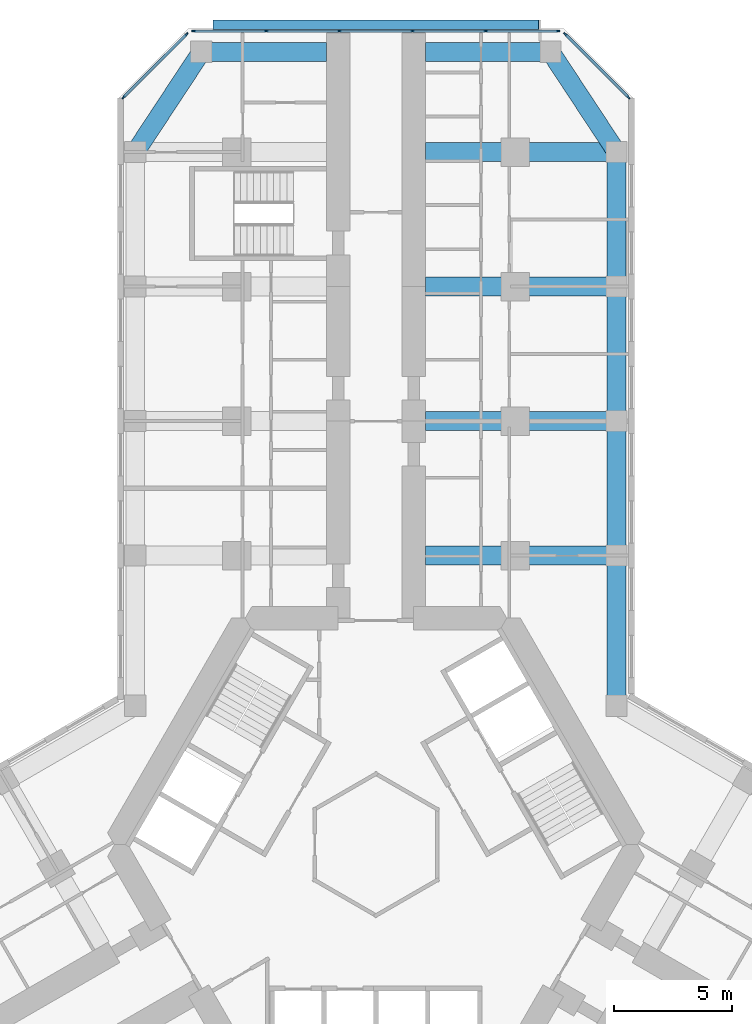
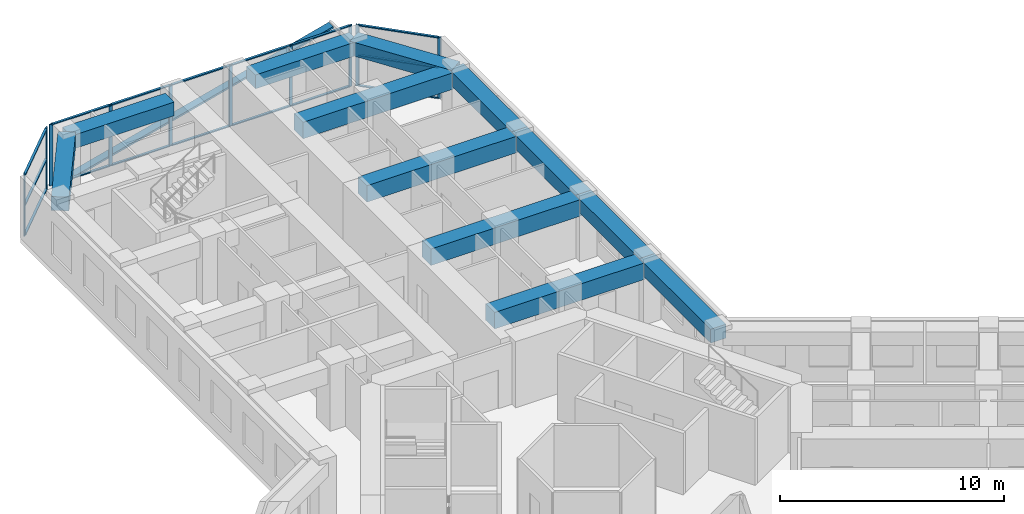
# One storey, part 7 of 21: 27 members, 12 beams, 3 elements without a shape of their own.
"""IFC4 building model written with IfcOpenShell, lengths in metres."""

from ifc_helpers import new_model, si_unit, direction, frame, origin, origin_2d, place, context, subcontext, project, spatial, rectangle, extrude, material, material_profile, profile_set, type_object, element, aggregate, save


model = new_model("IFC4")

# Units and contexts
model_context = context("Model", 3, precision=1e-05, world=origin(), true_north=direction((0.0, 1.0)))
body_context = subcontext(model_context, "Body", "Model", "MODEL_VIEW")
ifc_project = project(units=[si_unit("LENGTHUNIT", "METRE"), si_unit("AREAUNIT", "SQUARE_METRE"), si_unit("VOLUMEUNIT", "CUBIC_METRE"), si_unit("PLANEANGLEUNIT", "RADIAN"), si_unit("MASSUNIT", "GRAM", prefix="KILO")], contexts=[model_context])

# Site, building, storey
site_placement = place(None, origin())
site = spatial("IfcSite", under=ifc_project, at=site_placement, CompositionType="ELEMENT")
building_placement = place(site_placement, origin())
building = spatial("IfcBuilding", under=site, at=building_placement, Name="Kosmar Iwan School Tower", CompositionType="ELEMENT")
storey_placement = place(building_placement, frame((0.0, 0.0, 102.39990234375)))
storey = spatial("IfcBuildingStorey", under=building, at=storey_placement, Name="L25", CompositionType="ELEMENT", Elevation=102.39990234375)

# Member
ifc_material_1 = material(Name="Black anodised aluminium", Category="aluminium")
ifc_material_profile_1 = material_profile(ifc_material_1, rectangle(XDim=0.10009765625, YDim=0.39990234375, at=origin_2d()), Name="FIN 100x400")
ifc_profile_set_1 = profile_set([ifc_material_profile_1], Name="Black anodised aluminium")
member_type_1 = type_object("IfcMemberType", Name="Diagonal fin 100x400", PredefinedType="USERDEFINED", material=ifc_profile_set_1)
member_1_placement = place(storey_placement, frame((-6.898193359375, 34.75, -0.14990234375), z_axis=(0.967599450335, 0.0, 0.252490205179), x_axis=(-0.252490205179, 0.0, 0.967599450335)))
element("IfcMember", 1, at=member_1_placement, inside=storey, type_object=member_type_1, Name="Diagonal fin L25-F08", ObjectType="FIN", PredefinedType="USERDEFINED", context=body_context, shape_type="SweptSolid", body=[
    extrude(rectangle(XDim=0.10009765625, YDim=0.39990234375, at=origin_2d()), origin(), (0.0, 0.0, 1.0), 14.25830078125),
])

# Curtain wall, members
ifc_material_2 = material(Name="Dark glass in black aluminium frame", Category="aluminium")
curtain_wall_type_1 = type_object("IfcCurtainWallType", Name="Chamfer curtain wall dark glass", PredefinedType="USERDEFINED", material=ifc_material_2)
curtain_wall_1_placement = place(storey_placement, origin())
curtain_wall_1 = element("IfcCurtainWall", 2, at=curtain_wall_1_placement, inside=storey, type_object=curtain_wall_type_1, Name="Curtain wall L25-F07", ObjectType="FACETED CURTAIN WALL", PredefinedType="USERDEFINED")
ifc_material_3 = material(Name="Black anodised aluminium", Category="aluminium")
ifc_material_profile_2 = material_profile(ifc_material_3, rectangle(XDim=0.06005859375, YDim=0.159912109375, at=origin_2d()), Name="MULLION 60x160")
ifc_profile_set_2 = profile_set([ifc_material_profile_2], Name="Black anodised aluminium")
member_type_2 = type_object("IfcMemberType", Name="Mullion 60x160", PredefinedType="MULLION", material=ifc_profile_set_2)
member_2_placement = place(storey_placement, frame((10.69775390625, 31.675537109375, 0.0), z_axis=(0.0, 0.0, 1.0), x_axis=(-0.707106781187, -0.707106781187, 0.0)))
member_2 = element("IfcMember", 3, at=member_2_placement, type_object=member_type_2, Name="CW2 mullion 1", PredefinedType="MULLION", context=body_context, shape_type="SweptSolid", body=[
    extrude(rectangle(XDim=0.06005859375, YDim=0.159912109375, at=origin_2d()), origin(), (0.0, 0.0, 1.0), 3.35009765625),
])
member_3_placement = place(storey_placement, frame((8.025390625, 34.34765625, 0.0), z_axis=(0.0, 0.0, 1.0), x_axis=(-0.707106781187, -0.707106781187, 0.0)))
member_3 = element("IfcMember", 4, at=member_3_placement, type_object=member_type_2, Name="CW2 mullion 2", PredefinedType="MULLION", context=body_context, shape_type="SweptSolid", body=[
    extrude(rectangle(XDim=0.06005859375, YDim=0.159912109375, at=origin_2d()), origin(), (0.0, 0.0, 1.0), 3.35009765625),
])

ifc_material_4 = material(Name="Dark glass in black aluminium frame", Category="aluminium")
curtain_wall_type_2 = type_object("IfcCurtainWallType", Name="Tower curtain wall dark glass", PredefinedType="USERDEFINED", material=ifc_material_4)
curtain_wall_2_placement = place(storey_placement, origin())
curtain_wall_2 = element("IfcCurtainWall", 5, at=curtain_wall_2_placement, inside=storey, type_object=curtain_wall_type_2, Name="Curtain wall L25-F08", ObjectType="UNITISED CURTAIN WALL", PredefinedType="USERDEFINED")
member_4_placement = place(storey_placement, frame((7.71826171875, 34.47509765625, 0.0), z_axis=(0.0, 0.0, 1.0), x_axis=(0.0, -1.0, 0.0)))
member_4 = element("IfcMember", 6, at=member_4_placement, type_object=member_type_2, Name="CW1 mullion 1", PredefinedType="MULLION", context=body_context, shape_type="SweptSolid", body=[
    extrude(rectangle(XDim=0.06005859375, YDim=0.159912109375, at=origin_2d()), origin(), (0.0, 0.0, 1.0), 3.35009765625),
])
member_5_placement = place(storey_placement, frame((4.64892578125, 34.47509765625, 0.0), z_axis=(0.0, 0.0, 1.0), x_axis=(0.0, -1.0, 0.0)))
member_5 = element("IfcMember", 7, at=member_5_placement, type_object=member_type_2, Name="CW1 mullion 2", PredefinedType="MULLION", context=body_context, shape_type="SweptSolid", body=[
    extrude(rectangle(XDim=0.06005859375, YDim=0.159912109375, at=origin_2d()), origin(), (0.0, 0.0, 1.0), 3.35009765625),
])
member_6_placement = place(storey_placement, frame((1.549560546875, 34.47509765625, 0.0), z_axis=(0.0, 0.0, 1.0), x_axis=(0.0, -1.0, 0.0)))
member_6 = element("IfcMember", 8, at=member_6_placement, type_object=member_type_2, Name="CW1 mullion 3", PredefinedType="MULLION", context=body_context, shape_type="SweptSolid", body=[
    extrude(rectangle(XDim=0.06005859375, YDim=0.159912109375, at=origin_2d()), origin(), (0.0, 0.0, 1.0), 3.35009765625),
])
member_7_placement = place(storey_placement, frame((-1.549560546875, 34.47509765625, 0.0), z_axis=(0.0, 0.0, 1.0), x_axis=(0.0, -1.0, 0.0)))
member_7 = element("IfcMember", 9, at=member_7_placement, type_object=member_type_2, Name="CW1 mullion 4", PredefinedType="MULLION", context=body_context, shape_type="SweptSolid", body=[
    extrude(rectangle(XDim=0.06005859375, YDim=0.159912109375, at=origin_2d()), origin(), (0.0, 0.0, 1.0), 3.35009765625),
])
member_8_placement = place(storey_placement, frame((-4.64892578125, 34.47509765625, 0.0), z_axis=(0.0, 0.0, 1.0), x_axis=(0.0, -1.0, 0.0)))
member_8 = element("IfcMember", 10, at=member_8_placement, type_object=member_type_2, Name="CW1 mullion 5", PredefinedType="MULLION", context=body_context, shape_type="SweptSolid", body=[
    extrude(rectangle(XDim=0.06005859375, YDim=0.159912109375, at=origin_2d()), origin(), (0.0, 0.0, 1.0), 3.35009765625),
])
member_9_placement = place(storey_placement, frame((-7.71826171875, 34.47509765625, 0.0), z_axis=(0.0, 0.0, 1.0), x_axis=(0.0, -1.0, 0.0)))
member_9 = element("IfcMember", 11, at=member_9_placement, type_object=member_type_2, Name="CW1 mullion 6", PredefinedType="MULLION", context=body_context, shape_type="SweptSolid", body=[
    extrude(rectangle(XDim=0.06005859375, YDim=0.159912109375, at=origin_2d()), origin(), (0.0, 0.0, 1.0), 3.35009765625),
])

curtain_wall_3_placement = place(storey_placement, origin())
curtain_wall_3 = element("IfcCurtainWall", 12, at=curtain_wall_3_placement, inside=storey, type_object=curtain_wall_type_1, Name="Curtain wall L25-F09", ObjectType="FACETED CURTAIN WALL", PredefinedType="USERDEFINED")
member_10_placement = place(storey_placement, frame((-8.025390625, 34.34765625, 0.0), z_axis=(0.0, 0.0, 1.0), x_axis=(0.707106781187, -0.707106781187, 0.0)))
member_10 = element("IfcMember", 13, at=member_10_placement, type_object=member_type_2, Name="CW2 mullion 1", PredefinedType="MULLION", context=body_context, shape_type="SweptSolid", body=[
    extrude(rectangle(XDim=0.06005859375, YDim=0.159912109375, at=origin_2d()), origin(), (0.0, 0.0, 1.0), 3.35009765625),
])
member_11_placement = place(storey_placement, frame((-10.69775390625, 31.675537109375, 0.0), z_axis=(0.0, 0.0, 1.0), x_axis=(0.707106781187, -0.707106781187, 0.0)))
member_11 = element("IfcMember", 14, at=member_11_placement, type_object=member_type_2, Name="CW2 mullion 2", PredefinedType="MULLION", context=body_context, shape_type="SweptSolid", body=[
    extrude(rectangle(XDim=0.06005859375, YDim=0.159912109375, at=origin_2d()), origin(), (0.0, 0.0, 1.0), 3.35009765625),
])

# Beams
ifc_material_5 = material(Name="Concrete C50/60", Category="concrete")
ifc_material_profile_3 = material_profile(ifc_material_5, rectangle(XDim=0.800048828125, YDim=0.75, at=origin_2d()), Name="RC 800x750")
ifc_profile_set_3 = profile_set([ifc_material_profile_3], Name="Concrete C50/60")
beam_type_1 = type_object("IfcBeamType", Name="RC edge beam 800x750", PredefinedType="BEAM", material=ifc_profile_set_3)
beam_1_placement = place(storey_placement, frame((10.199951171875, 5.888916015625, 2.97509765625), z_axis=(0.0, 1.0, 0.0), x_axis=(-1.0, 0.0, 0.0)))
element("IfcBeam", 15, at=beam_1_placement, inside=storey, type_object=beam_type_1, Name="Edge beam AR1", PredefinedType="BEAM", context=body_context, shape_type="SweptSolid", body=[
    extrude(rectangle(XDim=0.800048828125, YDim=0.75, at=origin_2d()), origin(), (0.0, 0.0, 1.0), 6.361083984375),
])
for number, where, z_axis, x_axis, name in (
    (16, (10.199951171875, 12.25, 2.97509765625), (0.0, 1.0, 0.0), (-1.0, 0.0, 0.0), "Edge beam AR2"),
    (17, (10.199951171875, 17.949951171875, 2.97509765625), (0.0, 1.0, 0.0), (-1.0, 0.0, 0.0), "Edge beam AR3"),
):
    element("IfcBeam", number, at=place(storey_placement, frame(where, z_axis=z_axis, x_axis=x_axis)), inside=storey, type_object=beam_type_1, Name=name, PredefinedType="BEAM", context=body_context, shape_type="SweptSolid", body=[
        extrude(rectangle(XDim=0.800048828125, YDim=0.75, at=origin_2d()), origin(), (0.0, 0.0, 1.0), 5.699951171875),
    ])
beam_2_placement = place(storey_placement, frame((10.199951171875, 23.64990234375, 2.97509765625), z_axis=(0.0, 1.0, 0.0), x_axis=(-1.0, 0.0, 0.0)))
element("IfcBeam", 18, at=beam_2_placement, inside=storey, type_object=beam_type_1, Name="Edge beam AR4", PredefinedType="BEAM", context=body_context, shape_type="SweptSolid", body=[
    extrude(rectangle(XDim=0.800048828125, YDim=0.75, at=origin_2d()), origin(), (0.0, 0.0, 1.0), 5.7001953125),
])
ifc_material_6 = material(Name="Concrete C50/60", Category="concrete")
ifc_material_profile_4 = material_profile(ifc_material_6, rectangle(XDim=0.800048828125, YDim=0.75, at=origin_2d()), Name="RC 800x750")
ifc_profile_set_4 = profile_set([ifc_material_profile_4], Name="Concrete C50/60")
beam_type_2 = type_object("IfcBeamType", Name="RC tip beam 800x750", PredefinedType="BEAM", material=ifc_profile_set_4)
beam_3_placement = place(storey_placement, frame((-10.199951171875, 29.35009765625, 2.97509765625), z_axis=(0.550164383043, 0.835056376319, 0.0), x_axis=(-0.835056376319, 0.550164383043, 0.0)))
element("IfcBeam", 19, at=beam_3_placement, inside=storey, type_object=beam_type_2, Name="Tip beam AL", PredefinedType="BEAM", context=body_context, shape_type="SweptSolid", body=[
    extrude(rectangle(XDim=0.800048828125, YDim=0.75, at=origin_2d()), origin(), (0.0, 0.0, 1.0), 5.08935546875),
])
beam_4_placement = place(storey_placement, frame((-7.39990234375, 33.60009765625, 2.97509765625), z_axis=(1.0, 0.0, 0.0), x_axis=(0.0, 1.0, 0.0)))
element("IfcBeam", 20, at=beam_4_placement, inside=storey, type_object=beam_type_2, Name="Tip beam AL to corridor wall", PredefinedType="BEAM", context=body_context, shape_type="SweptSolid", body=[
    extrude(rectangle(XDim=0.800048828125, YDim=0.75, at=origin_2d()), origin(), (0.0, 0.0, 1.0), 5.2998046875),
])
beam_5_placement = place(storey_placement, frame((10.199951171875, 29.35009765625, 2.97509765625), z_axis=(-0.550164383043, 0.835056376319, 0.0), x_axis=(-0.835056376319, -0.550164383043, 0.0)))
element("IfcBeam", 21, at=beam_5_placement, inside=storey, type_object=beam_type_2, Name="Tip beam AR", PredefinedType="BEAM", context=body_context, shape_type="SweptSolid", body=[
    extrude(rectangle(XDim=0.800048828125, YDim=0.75, at=origin_2d()), origin(), (0.0, 0.0, 1.0), 5.08935546875),
])
beam_6_placement = place(storey_placement, frame((7.39990234375, 33.60009765625, 2.97509765625), z_axis=(-1.0, 0.0, 0.0), x_axis=(0.0, -1.0, 0.0)))
element("IfcBeam", 22, at=beam_6_placement, inside=storey, type_object=beam_type_2, Name="Tip beam AR to corridor wall", PredefinedType="BEAM", context=body_context, shape_type="SweptSolid", body=[
    extrude(rectangle(XDim=0.800048828125, YDim=0.75, at=origin_2d()), origin(), (0.0, 0.0, 1.0), 5.2998046875),
])
ifc_material_7 = material(Name="Concrete C50/60", Category="concrete")
ifc_material_profile_5 = material_profile(ifc_material_7, rectangle(XDim=0.800048828125, YDim=0.89990234375, at=origin_2d()), Name="RC 800x900")
ifc_profile_set_5 = profile_set([ifc_material_profile_5], Name="Concrete C50/60")
beam_type_3 = type_object("IfcBeamType", Name="RC transverse beam 800x900", PredefinedType="BEAM", material=ifc_profile_set_5)
for number, where, z_axis, x_axis, name in (
    (23, (10.199951171875, 12.25, 2.900146484375), (-1.0, 0.0, 0.0), (0.0, -1.0, 0.0), "Transverse beam AR1"),
    (24, (10.199951171875, 17.949951171875, 2.900146484375), (-1.0, 0.0, 0.0), (0.0, -1.0, 0.0), "Transverse beam AR2"),
    (25, (10.199951171875, 23.64990234375, 2.900146484375), (-1.0, 0.0, 0.0), (0.0, -1.0, 0.0), "Transverse beam AR3"),
    (26, (10.199951171875, 29.35009765625, 2.900146484375), (-1.0, 0.0, 0.0), (0.0, -1.0, 0.0), "Transverse beam AR4"),
):
    element("IfcBeam", number, at=place(storey_placement, frame(where, z_axis=z_axis, x_axis=x_axis)), inside=storey, type_object=beam_type_3, Name=name, PredefinedType="BEAM", context=body_context, shape_type="SweptSolid", body=[
        extrude(rectangle(XDim=0.800048828125, YDim=0.89990234375, at=origin_2d()), origin(), (0.0, 0.0, 1.0), 8.099853515625),
    ])

# Member
ifc_material_8 = material(Name="Black anodised aluminium", Category="aluminium")
ifc_material_profile_6 = material_profile(ifc_material_8, rectangle(XDim=0.1201171875, YDim=0.06005859375, at=origin_2d()), Name="TRANSOM 60x120")
ifc_profile_set_6 = profile_set([ifc_material_profile_6], Name="Black anodised aluminium")
member_type_3 = type_object("IfcMemberType", Name="Transom 60x120", PredefinedType="USERDEFINED", material=ifc_profile_set_6)
member_12_placement = place(storey_placement, frame((10.676513671875, 31.69677734375, 0.030029296875), z_axis=(-0.707139603466, 0.707073957383, 0.0), x_axis=(-0.707073957383, -0.707139603466, 0.0)))
member_12 = element("IfcMember", 27, at=member_12_placement, type_object=member_type_3, Name="CW2 transom 1.1", ObjectType="TRANSOM", PredefinedType="USERDEFINED", context=body_context, shape_type="SweptSolid", body=[
    extrude(rectangle(XDim=0.1201171875, YDim=0.06005859375, at=origin_2d()), origin(), (0.0, 0.0, 1.0), 3.718994140625),
])

member_13_placement = place(storey_placement, frame((10.676513671875, 31.69677734375, 1.675048828125), z_axis=(-0.707139603466, 0.707073957383, 0.0), x_axis=(-0.707073957383, -0.707139603466, 0.0)))
member_13 = element("IfcMember", 28, at=member_13_placement, type_object=member_type_3, Name="CW2 transom 1.2", ObjectType="TRANSOM", PredefinedType="USERDEFINED", context=body_context, shape_type="SweptSolid", body=[
    extrude(rectangle(XDim=0.1201171875, YDim=0.06005859375, at=origin_2d()), origin(), (0.0, 0.0, 1.0), 3.718994140625),
])

member_14_placement = place(storey_placement, frame((10.676513671875, 31.69677734375, 3.320068359375), z_axis=(-0.707139603466, 0.707073957383, 0.0), x_axis=(-0.707073957383, -0.707139603466, 0.0)))
member_14 = element("IfcMember", 29, at=member_14_placement, type_object=member_type_3, Name="CW2 transom 1.3", ObjectType="TRANSOM", PredefinedType="USERDEFINED", context=body_context, shape_type="SweptSolid", body=[
    extrude(rectangle(XDim=0.1201171875, YDim=0.06005859375, at=origin_2d()), origin(), (0.0, 0.0, 1.0), 3.718994140625),
])

aggregate(curtain_wall_1, [member_2, member_3, member_12, member_13, member_14])

member_15_placement = place(storey_placement, frame((7.688232421875, 34.47509765625, 0.030029296875), z_axis=(-1.0, 0.0, 0.0), x_axis=(0.0, -1.0, 0.0)))
member_15 = element("IfcMember", 30, at=member_15_placement, type_object=member_type_3, Name="CW1 transom 1.1", ObjectType="TRANSOM", PredefinedType="USERDEFINED", context=body_context, shape_type="SweptSolid", body=[
    extrude(rectangle(XDim=0.1201171875, YDim=0.06005859375, at=origin_2d()), origin(), (0.0, 0.0, 1.0), 3.00927734375),
])

member_16_placement = place(storey_placement, frame((7.688232421875, 34.47509765625, 3.320068359375), z_axis=(-1.0, 0.0, 0.0), x_axis=(0.0, -1.0, 0.0)))
member_16 = element("IfcMember", 31, at=member_16_placement, type_object=member_type_3, Name="CW1 transom 1.2", ObjectType="TRANSOM", PredefinedType="USERDEFINED", context=body_context, shape_type="SweptSolid", body=[
    extrude(rectangle(XDim=0.1201171875, YDim=0.06005859375, at=origin_2d()), origin(), (0.0, 0.0, 1.0), 3.00927734375),
])

member_17_placement = place(storey_placement, frame((4.618896484375, 34.47509765625, 0.030029296875), z_axis=(-1.0, 0.0, 0.0), x_axis=(0.0, -1.0, 0.0)))
member_17 = element("IfcMember", 32, at=member_17_placement, type_object=member_type_3, Name="CW1 transom 2.1", ObjectType="TRANSOM", PredefinedType="USERDEFINED", context=body_context, shape_type="SweptSolid", body=[
    extrude(rectangle(XDim=0.1201171875, YDim=0.06005859375, at=origin_2d()), origin(), (0.0, 0.0, 1.0), 3.039306640625),
])

member_18_placement = place(storey_placement, frame((4.618896484375, 34.47509765625, 3.320068359375), z_axis=(-1.0, 0.0, 0.0), x_axis=(0.0, -1.0, 0.0)))
member_18 = element("IfcMember", 33, at=member_18_placement, type_object=member_type_3, Name="CW1 transom 2.2", ObjectType="TRANSOM", PredefinedType="USERDEFINED", context=body_context, shape_type="SweptSolid", body=[
    extrude(rectangle(XDim=0.1201171875, YDim=0.06005859375, at=origin_2d()), origin(), (0.0, 0.0, 1.0), 3.039306640625),
])

member_19_placement = place(storey_placement, frame((1.51953125, 34.47509765625, 0.030029296875), z_axis=(-1.0, 0.0, 0.0), x_axis=(0.0, -1.0, 0.0)))
member_19 = element("IfcMember", 34, at=member_19_placement, type_object=member_type_3, Name="CW1 transom 3.1", ObjectType="TRANSOM", PredefinedType="USERDEFINED", context=body_context, shape_type="SweptSolid", body=[
    extrude(rectangle(XDim=0.1201171875, YDim=0.06005859375, at=origin_2d()), origin(), (0.0, 0.0, 1.0), 3.0390625),
])

member_20_placement = place(storey_placement, frame((1.51953125, 34.47509765625, 3.320068359375), z_axis=(-1.0, 0.0, 0.0), x_axis=(0.0, -1.0, 0.0)))
member_20 = element("IfcMember", 35, at=member_20_placement, type_object=member_type_3, Name="CW1 transom 3.2", ObjectType="TRANSOM", PredefinedType="USERDEFINED", context=body_context, shape_type="SweptSolid", body=[
    extrude(rectangle(XDim=0.1201171875, YDim=0.06005859375, at=origin_2d()), origin(), (0.0, 0.0, 1.0), 3.0390625),
])

member_21_placement = place(storey_placement, frame((-1.57958984375, 34.47509765625, 0.030029296875), z_axis=(-1.0, 0.0, 0.0), x_axis=(0.0, -1.0, 0.0)))
member_21 = element("IfcMember", 36, at=member_21_placement, type_object=member_type_3, Name="CW1 transom 4.1", ObjectType="TRANSOM", PredefinedType="USERDEFINED", context=body_context, shape_type="SweptSolid", body=[
    extrude(rectangle(XDim=0.1201171875, YDim=0.06005859375, at=origin_2d()), origin(), (0.0, 0.0, 1.0), 3.039306640625),
])

member_22_placement = place(storey_placement, frame((-1.57958984375, 34.47509765625, 3.320068359375), z_axis=(-1.0, 0.0, 0.0), x_axis=(0.0, -1.0, 0.0)))
member_22 = element("IfcMember", 37, at=member_22_placement, type_object=member_type_3, Name="CW1 transom 4.2", ObjectType="TRANSOM", PredefinedType="USERDEFINED", context=body_context, shape_type="SweptSolid", body=[
    extrude(rectangle(XDim=0.1201171875, YDim=0.06005859375, at=origin_2d()), origin(), (0.0, 0.0, 1.0), 3.039306640625),
])

member_23_placement = place(storey_placement, frame((-4.678955078125, 34.47509765625, 0.030029296875), z_axis=(-1.0, 0.0, 0.0), x_axis=(0.0, -1.0, 0.0)))
member_23 = element("IfcMember", 38, at=member_23_placement, type_object=member_type_3, Name="CW1 transom 5.1", ObjectType="TRANSOM", PredefinedType="USERDEFINED", context=body_context, shape_type="SweptSolid", body=[
    extrude(rectangle(XDim=0.1201171875, YDim=0.06005859375, at=origin_2d()), origin(), (0.0, 0.0, 1.0), 3.00927734375),
])

member_24_placement = place(storey_placement, frame((-4.678955078125, 34.47509765625, 3.320068359375), z_axis=(-1.0, 0.0, 0.0), x_axis=(0.0, -1.0, 0.0)))
member_24 = element("IfcMember", 39, at=member_24_placement, type_object=member_type_3, Name="CW1 transom 5.2", ObjectType="TRANSOM", PredefinedType="USERDEFINED", context=body_context, shape_type="SweptSolid", body=[
    extrude(rectangle(XDim=0.1201171875, YDim=0.06005859375, at=origin_2d()), origin(), (0.0, 0.0, 1.0), 3.00927734375),
])

aggregate(curtain_wall_2, [member_4, member_5, member_6, member_7, member_8, member_9, member_15, member_16, member_17, member_18, member_19, member_20, member_21, member_22, member_23, member_24])

member_25_placement = place(storey_placement, frame((-8.046630859375, 34.326416015625, 0.030029296875), z_axis=(-0.707139603466, -0.707073957383, 0.0), x_axis=(0.707073957383, -0.707139603466, 0.0)))
member_25 = element("IfcMember", 40, at=member_25_placement, type_object=member_type_3, Name="CW2 transom 1.1", ObjectType="TRANSOM", PredefinedType="USERDEFINED", context=body_context, shape_type="SweptSolid", body=[
    extrude(rectangle(XDim=0.1201171875, YDim=0.06005859375, at=origin_2d()), origin(), (0.0, 0.0, 1.0), 3.718994140625),
])

member_26_placement = place(storey_placement, frame((-8.046630859375, 34.326416015625, 1.675048828125), z_axis=(-0.707139603466, -0.707073957383, 0.0), x_axis=(0.707073957383, -0.707139603466, 0.0)))
member_26 = element("IfcMember", 41, at=member_26_placement, type_object=member_type_3, Name="CW2 transom 1.2", ObjectType="TRANSOM", PredefinedType="USERDEFINED", context=body_context, shape_type="SweptSolid", body=[
    extrude(rectangle(XDim=0.1201171875, YDim=0.06005859375, at=origin_2d()), origin(), (0.0, 0.0, 1.0), 3.718994140625),
])

member_27_placement = place(storey_placement, frame((-8.046630859375, 34.326416015625, 3.320068359375), z_axis=(-0.707139603466, -0.707073957383, 0.0), x_axis=(0.707073957383, -0.707139603466, 0.0)))
member_27 = element("IfcMember", 42, at=member_27_placement, type_object=member_type_3, Name="CW2 transom 1.3", ObjectType="TRANSOM", PredefinedType="USERDEFINED", context=body_context, shape_type="SweptSolid", body=[
    extrude(rectangle(XDim=0.1201171875, YDim=0.06005859375, at=origin_2d()), origin(), (0.0, 0.0, 1.0), 3.718994140625),
])

aggregate(curtain_wall_3, [member_10, member_11, member_25, member_26, member_27])

save(model, "model.ifc")
